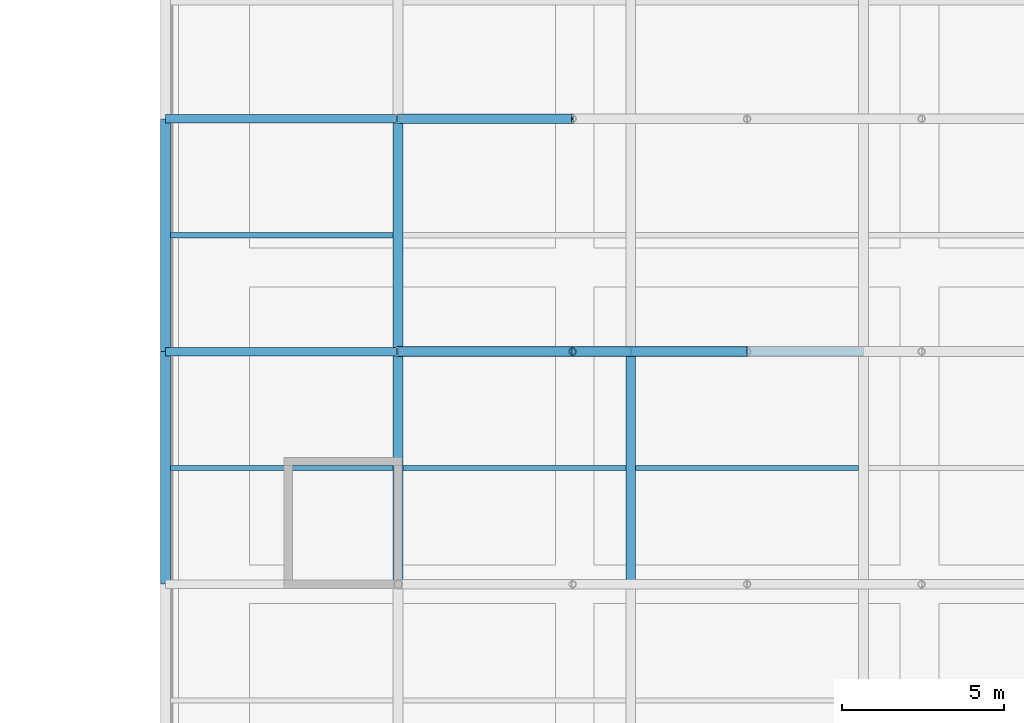
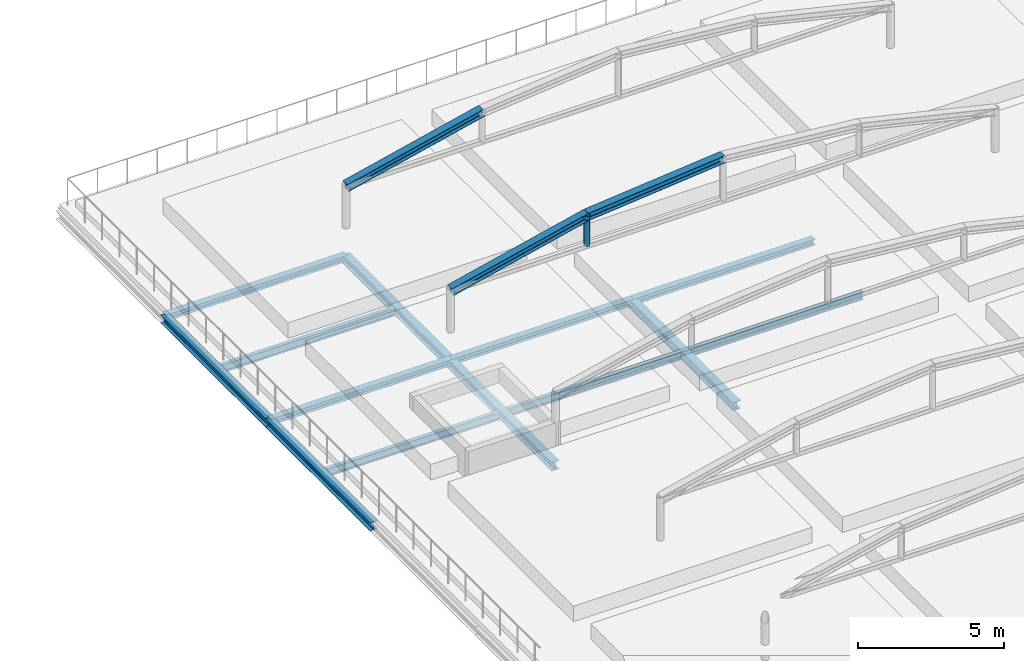
# One storey, part 66 of 126: 13 beams, 4 members.
"""IFC4 building model written with IfcOpenShell, lengths in metres."""

from ifc_helpers import new_model, si_unit, direction, frame, origin, origin_2d, place, context, subcontext, project, spatial, hollow_circle, i_section, extrude, material, material_profile, profile_set, type_object, element, save


model = new_model("IFC4")

# Units and contexts
model_context = context("Model", 3, precision=1e-05, world=origin(), true_north=direction((0.0, 1.0)))
body_context = subcontext(model_context, "Body", "Model", "MODEL_VIEW")
ifc_project = project(units=[si_unit("LENGTHUNIT", "METRE"), si_unit("AREAUNIT", "SQUARE_METRE"), si_unit("VOLUMEUNIT", "CUBIC_METRE"), si_unit("PLANEANGLEUNIT", "RADIAN"), si_unit("MASSUNIT", "GRAM", prefix="KILO")], contexts=[model_context])

# Site, building, storey
site_placement = place(None, origin())
site = spatial("IfcSite", under=ifc_project, at=site_placement, CompositionType="ELEMENT")
building_placement = place(site_placement, origin())
building = spatial("IfcBuilding", under=site, at=building_placement, Name="Zlatovets Crest Museum", CompositionType="ELEMENT")
storey_placement = place(building_placement, frame((0.0, 0.0, 8.699951171875)))
storey = spatial("IfcBuildingStorey", under=building, at=storey_placement, Name="L02", CompositionType="ELEMENT", Elevation=8.699951171875)

# Beams
ifc_material = material(Name="Structural steel S355J2", Category="steel")
ifc_material_profile_1 = material_profile(ifc_material, i_section(OverallWidth=0.300048828125, OverallDepth=0.35009765625, WebThickness=0.010009765625, FlangeThickness=0.017578125, FilletRadius=0.027099609375, at=origin_2d()), Name="HEA 360")
ifc_profile_set_1 = profile_set([ifc_material_profile_1], Name="Structural steel S355J2")
beam_type_1 = type_object("IfcBeamType", Name="Beam_B-03", PredefinedType="BEAM", material=ifc_profile_set_1)
beam_1_placement = place(storey_placement, frame((129.60009765625, 79.199951171875, -0.39501953125), z_axis=(0.0, 1.0, 0.0), x_axis=(-1.0, 0.0, 0.0)))
element("IfcBeam", 1, at=beam_1_placement, inside=storey, type_object=beam_type_1, Name="V5 L02 Grid Beam B-03", PredefinedType="BEAM", context=body_context, shape_type="SweptSolid", body=[
    extrude(i_section(OverallWidth=0.300048828125, OverallDepth=0.35009765625, WebThickness=0.010009765625, FlangeThickness=0.017578125, FilletRadius=0.027099609375, at=origin_2d()), origin(), (0.0, 0.0, 1.0), 7.199951171875),
])
beam_2_placement = place(storey_placement, frame((129.60009765625, 86.39990234375, -0.39501953125), z_axis=(0.0, 1.0, 0.0), x_axis=(-1.0, 0.0, 0.0)))
element("IfcBeam", 2, at=beam_2_placement, inside=storey, type_object=beam_type_1, Name="V5 L02 Grid Beam B-03", PredefinedType="BEAM", context=body_context, shape_type="SweptSolid", body=[
    extrude(i_section(OverallWidth=0.300048828125, OverallDepth=0.35009765625, WebThickness=0.010009765625, FlangeThickness=0.017578125, FilletRadius=0.027099609375, at=origin_2d()), origin(), (0.0, 0.0, 1.0), 7.2001953125),
])
beam_3_placement = place(storey_placement, frame((136.800048828125, 79.199951171875, -0.39501953125), z_axis=(0.0, 1.0, 0.0), x_axis=(-1.0, 0.0, 0.0)))
element("IfcBeam", 3, at=beam_3_placement, inside=storey, type_object=beam_type_1, Name="V5 L02 Grid Beam B-03", PredefinedType="BEAM", context=body_context, shape_type="SweptSolid", body=[
    extrude(i_section(OverallWidth=0.300048828125, OverallDepth=0.35009765625, WebThickness=0.010009765625, FlangeThickness=0.017578125, FilletRadius=0.027099609375, at=origin_2d()), origin(), (0.0, 0.0, 1.0), 7.199951171875),
])
beam_4_placement = place(storey_placement, frame((136.800048828125, 86.39990234375, -0.39501953125), z_axis=(0.0, 1.0, 0.0), x_axis=(-1.0, 0.0, 0.0)))
element("IfcBeam", 4, at=beam_4_placement, inside=storey, type_object=beam_type_1, Name="V5 L02 Grid Beam B-03", PredefinedType="BEAM", context=body_context, shape_type="SweptSolid", body=[
    extrude(i_section(OverallWidth=0.300048828125, OverallDepth=0.35009765625, WebThickness=0.010009765625, FlangeThickness=0.017578125, FilletRadius=0.027099609375, at=origin_2d()), origin(), (0.0, 0.0, 1.0), 7.2001953125),
])
beam_5_placement = place(storey_placement, frame((144.0, 79.199951171875, -0.39501953125), z_axis=(0.0, 1.0, 0.0), x_axis=(-1.0, 0.0, 0.0)))
element("IfcBeam", 5, at=beam_5_placement, inside=storey, type_object=beam_type_1, Name="V5 L02 Grid Beam B-03", PredefinedType="BEAM", context=body_context, shape_type="SweptSolid", body=[
    extrude(i_section(OverallWidth=0.300048828125, OverallDepth=0.35009765625, WebThickness=0.010009765625, FlangeThickness=0.017578125, FilletRadius=0.027099609375, at=origin_2d()), origin(), (0.0, 0.0, 1.0), 7.199951171875),
])
ifc_material_profile_2 = material_profile(ifc_material, i_section(OverallWidth=0.260009765625, OverallDepth=0.25, WebThickness=0.007568359375, FlangeThickness=0.012451171875, FilletRadius=0.02392578125, at=origin_2d()), Name="HEA 260")
ifc_profile_set_2 = profile_set([ifc_material_profile_2], Name="Structural steel S355J2")
beam_type_2 = type_object("IfcBeamType", Name="Beam_B-13", PredefinedType="BEAM", material=ifc_profile_set_2)
for number, where, z_axis, x_axis, name in (
    (6, (129.60009765625, 86.39990234375, -0.344970703125), (1.0, 0.0, 0.0), (0.0, 1.0, 0.0), "V5 L02 Primary Girder B-13"),
    (7, (136.800048828125, 86.39990234375, -0.344970703125), (1.0, 0.0, 0.0), (0.0, 1.0, 0.0), "V5 L02 Primary Girder B-13"),
    (8, (144.0, 86.39990234375, -0.344970703125), (1.0, 0.0, 0.0), (0.0, 1.0, 0.0), "V5 L02 Primary Girder B-13"),
    (9, (129.60009765625, 93.60009765625, -0.344970703125), (1.0, 0.0, 0.0), (0.0, 1.0, 0.0), "V5 L02 Primary Girder B-13"),
):
    element("IfcBeam", number, at=place(storey_placement, frame(where, z_axis=z_axis, x_axis=x_axis)), inside=storey, type_object=beam_type_2, Name=name, PredefinedType="BEAM", context=body_context, shape_type="SweptSolid", body=[
        extrude(i_section(OverallWidth=0.260009765625, OverallDepth=0.25, WebThickness=0.007568359375, FlangeThickness=0.012451171875, FilletRadius=0.02392578125, at=origin_2d()), origin(), (0.0, 0.0, 1.0), 7.199951171875),
    ])
ifc_material_profile_3 = material_profile(ifc_material, i_section(OverallWidth=0.159912109375, OverallDepth=0.330078125, WebThickness=0.007568359375, FlangeThickness=0.011474609375, FilletRadius=0.01806640625, at=origin_2d()), Name="IPE 330")
ifc_profile_set_3 = profile_set([ifc_material_profile_3], Name="Structural steel S355J2")
beam_type_3 = type_object("IfcBeamType", Name="Beam_J-09", PredefinedType="JOIST", material=ifc_profile_set_3)
for number, where, z_axis, x_axis, name in (
    (10, (129.75, 82.800048828125, -0.385009765625), (1.0, 0.0, 0.0), (0.0, 1.0, 0.0), "V5 L02 Composite Joist J-09"),
    (11, (129.75, 90.0, -0.385009765625), (1.0, 0.0, 0.0), (0.0, 1.0, 0.0), "V5 L02 Composite Joist J-09"),
):
    element("IfcBeam", number, at=place(storey_placement, frame(where, z_axis=z_axis, x_axis=x_axis)), inside=storey, type_object=beam_type_3, Name=name, PredefinedType="JOIST", context=body_context, shape_type="SweptSolid", body=[
        extrude(i_section(OverallWidth=0.159912109375, OverallDepth=0.330078125, WebThickness=0.007568359375, FlangeThickness=0.011474609375, FilletRadius=0.01806640625, at=origin_2d()), origin(), (0.0, 0.0, 1.0), 6.89990234375),
    ])
for number, where, z_axis, x_axis, name in (
    (12, (136.949951171875, 82.800048828125, -0.385009765625), (1.0, 0.0, 0.0), (0.0, 1.0, 0.0), "V5 L02 Composite Joist J-09"),
    (13, (144.14990234375, 82.800048828125, -0.385009765625), (1.0, 0.0, 0.0), (0.0, 1.0, 0.0), "V5 L02 Composite Joist J-09"),
):
    element("IfcBeam", number, at=place(storey_placement, frame(where, z_axis=z_axis, x_axis=x_axis)), inside=storey, type_object=beam_type_3, Name=name, PredefinedType="JOIST", context=body_context, shape_type="SweptSolid", body=[
        extrude(i_section(OverallWidth=0.159912109375, OverallDepth=0.330078125, WebThickness=0.007568359375, FlangeThickness=0.011474609375, FilletRadius=0.01806640625, at=origin_2d()), origin(), (0.0, 0.0, 1.0), 6.900146484375),
    ])

# Members
ifc_material_profile_4 = material_profile(ifc_material, i_section(OverallWidth=0.300048828125, OverallDepth=0.31005859375, WebThickness=0.009033203125, FlangeThickness=0.015380859375, FilletRadius=0.027099609375, at=origin_2d()), Name="HEA 320")
ifc_profile_set_4 = profile_set([ifc_material_profile_4], Name="Structural steel S355J2")
member_type_1 = type_object("IfcMemberType", Name="Member_TM-02", PredefinedType="RAFTER", material=ifc_profile_set_4)
member_1_placement = place(storey_placement, frame((136.800048828125, 86.39990234375, 2.60009765625), z_axis=(0.973331107108, 0.0, 0.229404786208), x_axis=(0.0, 1.0, 0.0)))
element("IfcMember", 14, at=member_1_placement, inside=storey, type_object=member_type_1, Name="Art Nouveau Botanical Pergola Arch", PredefinedType="RAFTER", context=body_context, shape_type="SweptSolid", body=[
    extrude(i_section(OverallWidth=0.300048828125, OverallDepth=0.31005859375, WebThickness=0.009033203125, FlangeThickness=0.015380859375, FilletRadius=0.027099609375, at=origin_2d()), origin(), (0.0, 0.0, 1.0), 5.5478515625),
])
member_2_placement = place(storey_placement, frame((142.199951171875, 86.39990234375, 3.872802734375), z_axis=(0.995265720695, 0.0, 0.097191281554), x_axis=(0.0, 1.0, 0.0)))
element("IfcMember", 15, at=member_2_placement, inside=storey, type_object=member_type_1, Name="Art Nouveau Botanical Pergola Arch", PredefinedType="RAFTER", context=body_context, shape_type="SweptSolid", body=[
    extrude(i_section(OverallWidth=0.300048828125, OverallDepth=0.31005859375, WebThickness=0.009033203125, FlangeThickness=0.015380859375, FilletRadius=0.027099609375, at=origin_2d()), origin(), (0.0, 0.0, 1.0), 5.42578125),
])
member_3_placement = place(storey_placement, frame((136.800048828125, 93.60009765625, 2.60009765625), z_axis=(0.973331107108, 0.0, 0.229404786208), x_axis=(0.0, 1.0, 0.0)))
element("IfcMember", 16, at=member_3_placement, inside=storey, type_object=member_type_1, Name="Art Nouveau Botanical Pergola Arch", PredefinedType="RAFTER", context=body_context, shape_type="SweptSolid", body=[
    extrude(i_section(OverallWidth=0.300048828125, OverallDepth=0.31005859375, WebThickness=0.009033203125, FlangeThickness=0.015380859375, FilletRadius=0.027099609375, at=origin_2d()), origin(), (0.0, 0.0, 1.0), 5.5478515625),
])
ifc_material_profile_5 = material_profile(ifc_material, hollow_circle(Radius=0.109619140625, WallThickness=0.010009765625, at=origin_2d()), Name="CHS 219.1x10.0")
ifc_profile_set_5 = profile_set([ifc_material_profile_5], Name="Structural steel S355J2")
member_type_2 = type_object("IfcMemberType", Name="Member_TM-05", PredefinedType="BRACE", material=ifc_profile_set_5)
member_4_placement = place(storey_placement, frame((142.199951171875, 86.39990234375, 2.60009765625), z_axis=(0.0, 0.0, 1.0), x_axis=(1.0, 0.0, 0.0)))
element("IfcMember", 17, at=member_4_placement, inside=storey, type_object=member_type_2, Name="Art Nouveau Botanical Pergola Web", PredefinedType="BRACE", context=body_context, shape_type="SweptSolid", body=[
    extrude(hollow_circle(Radius=0.109619140625, WallThickness=0.010009765625, at=origin_2d()), origin(), (0.0, 0.0, 1.0), 1.272705078125),
])

save(model, "model.ifc")
